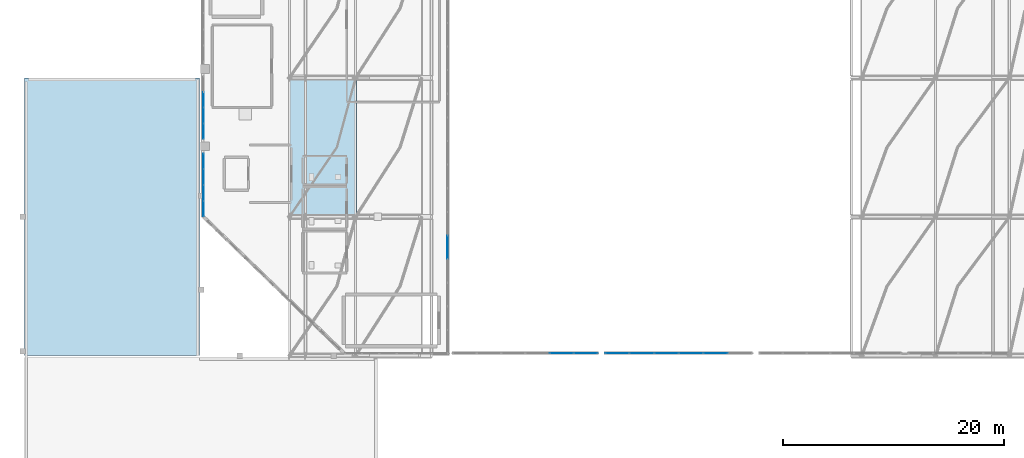
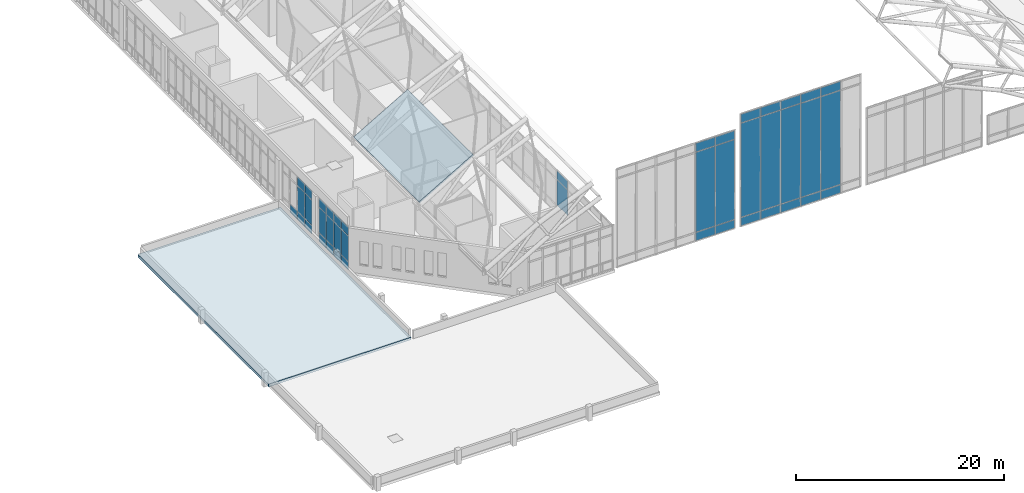
# One storey, part 24 of 42: 42 plates, 2 slabs, 5 elements without a shape of their own.
"""IFC4 building model written with IfcOpenShell, lengths in metres."""

from ifc_helpers import new_model, si_unit, derived_unit, direction, frame, origin, origin_2d, place, context, subcontext, project, spatial, polyline, rectangle, outline, extrude, material, layer, layer_set, type_object, element, aggregate, save


model = new_model("IFC4")

# Units and contexts
model_context = context("Model", 3, precision=1e-05, world=origin(), true_north=direction((0.0, 1.0)))
body_context = subcontext(model_context, "Body", "Model", "MODEL_VIEW")
ifc_project = project(units=[si_unit("LENGTHUNIT", "METRE"), si_unit("AREAUNIT", "SQUARE_METRE"), si_unit("VOLUMEUNIT", "CUBIC_METRE"), si_unit("PLANEANGLEUNIT", "RADIAN"), si_unit("MASSUNIT", "GRAM", prefix="KILO"), derived_unit("THERMALTRANSMITTANCEUNIT", [(si_unit("MASSUNIT", "GRAM", prefix="KILO"), 1), (si_unit("TIMEUNIT", "SECOND"), -3), (si_unit("THERMODYNAMICTEMPERATUREUNIT", "KELVIN"), -1)])], contexts=[model_context])

# Site, building, storey
site_placement = place(None, origin())
site = spatial("IfcSite", under=ifc_project, at=site_placement, CompositionType="ELEMENT")
building_placement = place(site_placement, origin())
building = spatial("IfcBuilding", under=site, at=building_placement, Name="Valcora Ridge Arena", CompositionType="ELEMENT")
storey_placement = place(building_placement, frame((0.0, 0.0, 26.39990234375)))
storey = spatial("IfcBuildingStorey", under=building, at=storey_placement, Name="L05", CompositionType="ELEMENT", Elevation=26.39990234375)

# Curtain wall, plates
ifc_material_1 = material(Name="Anodised dark bronze architectural aluminium 6063-T6", Category="aluminium")
ifc_layer_1 = layer(ifc_material_1, 0.14990234375, Name="Anodised dark bronze architectural aluminium 6063-T6")
ifc_layer_set_1 = layer_set([ifc_layer_1], Name="Anodised dark bronze architectural aluminium 6063-T6")
curtain_wall_type_1 = type_object("IfcCurtainWallType", Name="TY-CURTAINWALL-CW-V1-SKY-057X52", PredefinedType="NOTDEFINED", material=ifc_layer_set_1)
curtain_wall_1_placement = place(storey_placement, origin())
curtain_wall_1 = element("IfcCurtainWall", 1, at=curtain_wall_1_placement, inside=storey, type_object=curtain_wall_type_1, Name="CW-V1-SKY-057X52 CW-0164", PredefinedType="NOTDEFINED")
ifc_material_2 = material(Name="Low-iron solar-control double glazing SHGC 0.28", Category="glass")
ifc_layer_2 = layer(ifc_material_2, 0.028076171875, Name="Low-iron solar-control double glazing SHGC 0.28")
ifc_layer_set_2 = layer_set([ifc_layer_2], Name="Low-iron solar-control double glazing SHGC 0.28")
plate_type_1 = type_object("IfcPlateType", Name="TY-PLT-CWP-1355X0975", PredefinedType="CURTAIN_PANEL", material=ifc_layer_set_2)
plate_1_placement = place(storey_placement, frame((16.199951171875, 40.367431640625, 0.050048828125), z_axis=(0.0, 0.0, 1.0), x_axis=(0.0, 1.0, 0.0)))
plate_1 = element("IfcPlate", 2, at=plate_1_placement, type_object=plate_type_1, Name="CW-0164/P00-00", PredefinedType="CURTAIN_PANEL", context=body_context, shape_type="SweptSolid", body=[
    extrude(rectangle(XDim=1.35498046875, YDim=0.028076171875, at=origin_2d()), origin(), (0.0, 0.0, 1.0), 0.97509765625),
])
ifc_layer_3 = layer(ifc_material_2, 0.028076171875, Name="Low-iron solar-control double glazing SHGC 0.28")
ifc_layer_set_3 = layer_set([ifc_layer_3], Name="Low-iron solar-control double glazing SHGC 0.28")
plate_type_2 = type_object("IfcPlateType", Name="TY-PLT-CWP-1355X1025", PredefinedType="CURTAIN_PANEL", material=ifc_layer_set_3)
plate_2_placement = place(storey_placement, frame((16.199951171875, 40.367431640625, 4.105224609375), z_axis=(0.0, 0.0, 1.0), x_axis=(0.0, 1.0, 0.0)))
plate_2 = element("IfcPlate", 3, at=plate_2_placement, type_object=plate_type_2, Name="CW-0164/P00-02", PredefinedType="CURTAIN_PANEL", context=body_context, shape_type="SweptSolid", body=[
    extrude(rectangle(XDim=1.35498046875, YDim=0.028076171875, at=origin_2d()), origin(), (0.0, 0.0, 1.0), 1.02490234375),
])
ifc_layer_4 = layer(ifc_material_2, 0.028076171875, Name="Low-iron solar-control double glazing SHGC 0.28")
ifc_layer_set_4 = layer_set([ifc_layer_4], Name="Low-iron solar-control double glazing SHGC 0.28")
plate_type_3 = type_object("IfcPlateType", Name="TY-PLT-CWP-1355X2980", PredefinedType="CURTAIN_PANEL", material=ifc_layer_set_4)
plate_3_placement = place(storey_placement, frame((16.199951171875, 40.367431640625, 1.0751953125), z_axis=(0.0, 0.0, 1.0), x_axis=(0.0, 1.0, 0.0)))
plate_3 = element("IfcPlate", 4, at=plate_3_placement, type_object=plate_type_3, Name="CW-0164/P00-01", PredefinedType="CURTAIN_PANEL", context=body_context, shape_type="SweptSolid", body=[
    extrude(rectangle(XDim=1.35498046875, YDim=0.028076171875, at=origin_2d()), origin(), (0.0, 0.0, 1.0), 2.97998046875),
])

ifc_layer_5 = layer(ifc_material_1, 0.14990234375, Name="Anodised dark bronze architectural aluminium 6063-T6")
ifc_layer_set_5 = layer_set([ifc_layer_5], Name="Anodised dark bronze architectural aluminium 6063-T6")
curtain_wall_type_2 = type_object("IfcCurtainWallType", Name="TY-CURTAINWALL-CW-V1-SKY-058X52", PredefinedType="NOTDEFINED", material=ifc_layer_set_5)
curtain_wall_2_placement = place(storey_placement, origin())
curtain_wall_2 = element("IfcCurtainWall", 5, at=curtain_wall_2_placement, inside=storey, type_object=curtain_wall_type_2, Name="CW-V1-SKY-058X52 CW-0163", PredefinedType="NOTDEFINED")
ifc_layer_6 = layer(ifc_material_2, 0.028076171875, Name="Low-iron solar-control double glazing SHGC 0.28")
ifc_layer_set_6 = layer_set([ifc_layer_6], Name="Low-iron solar-control double glazing SHGC 0.28")
plate_type_4 = type_object("IfcPlateType", Name="TY-PLT-CWP-1365X0975", PredefinedType="CURTAIN_PANEL", material=ifc_layer_set_6)
plate_4_placement = place(storey_placement, frame((16.199951171875, 33.33251953125, 0.050048828125), z_axis=(0.0, 0.0, 1.0), x_axis=(0.0, 1.0, 0.0)))
plate_4 = element("IfcPlate", 6, at=plate_4_placement, type_object=plate_type_4, Name="CW-0163/P00-00", PredefinedType="CURTAIN_PANEL", context=body_context, shape_type="SweptSolid", body=[
    extrude(rectangle(XDim=1.364990234375, YDim=0.028076171875, at=origin_2d()), origin(), (0.0, 0.0, 1.0), 0.97509765625),
])
plate_5_placement = place(storey_placement, frame((16.199951171875, 37.62744140625, 0.050048828125), z_axis=(0.0, 0.0, 1.0), x_axis=(0.0, 1.0, 0.0)))
plate_5 = element("IfcPlate", 7, at=plate_5_placement, type_object=plate_type_4, Name="CW-0163/P03-00", PredefinedType="CURTAIN_PANEL", context=body_context, shape_type="SweptSolid", body=[
    extrude(rectangle(XDim=1.364990234375, YDim=0.028076171875, at=origin_2d()), origin(), (0.0, 0.0, 1.0), 0.97509765625),
])
ifc_layer_7 = layer(ifc_material_2, 0.028076171875, Name="Low-iron solar-control double glazing SHGC 0.28")
ifc_layer_set_7 = layer_set([ifc_layer_7], Name="Low-iron solar-control double glazing SHGC 0.28")
plate_type_5 = type_object("IfcPlateType", Name="TY-PLT-CWP-1365X1025", PredefinedType="CURTAIN_PANEL", material=ifc_layer_set_7)
plate_6_placement = place(storey_placement, frame((16.199951171875, 33.33251953125, 4.105224609375), z_axis=(0.0, 0.0, 1.0), x_axis=(0.0, 1.0, 0.0)))
plate_6 = element("IfcPlate", 8, at=plate_6_placement, type_object=plate_type_5, Name="CW-0163/P00-02", PredefinedType="CURTAIN_PANEL", context=body_context, shape_type="SweptSolid", body=[
    extrude(rectangle(XDim=1.364990234375, YDim=0.028076171875, at=origin_2d()), origin(), (0.0, 0.0, 1.0), 1.02490234375),
])
plate_7_placement = place(storey_placement, frame((16.199951171875, 37.62744140625, 4.105224609375), z_axis=(0.0, 0.0, 1.0), x_axis=(0.0, 1.0, 0.0)))
plate_7 = element("IfcPlate", 9, at=plate_7_placement, type_object=plate_type_5, Name="CW-0163/P03-02", PredefinedType="CURTAIN_PANEL", context=body_context, shape_type="SweptSolid", body=[
    extrude(rectangle(XDim=1.364990234375, YDim=0.028076171875, at=origin_2d()), origin(), (0.0, 0.0, 1.0), 1.02490234375),
])
ifc_layer_8 = layer(ifc_material_2, 0.028076171875, Name="Low-iron solar-control double glazing SHGC 0.28")
ifc_layer_set_8 = layer_set([ifc_layer_8], Name="Low-iron solar-control double glazing SHGC 0.28")
plate_type_6 = type_object("IfcPlateType", Name="TY-PLT-CWP-1365X2980", PredefinedType="CURTAIN_PANEL", material=ifc_layer_set_8)
plate_8_placement = place(storey_placement, frame((16.199951171875, 33.33251953125, 1.0751953125), z_axis=(0.0, 0.0, 1.0), x_axis=(0.0, 1.0, 0.0)))
plate_8 = element("IfcPlate", 10, at=plate_8_placement, type_object=plate_type_6, Name="CW-0163/P00-01", PredefinedType="CURTAIN_PANEL", context=body_context, shape_type="SweptSolid", body=[
    extrude(rectangle(XDim=1.364990234375, YDim=0.028076171875, at=origin_2d()), origin(), (0.0, 0.0, 1.0), 2.97998046875),
])
plate_9_placement = place(storey_placement, frame((16.199951171875, 37.62744140625, 1.0751953125), z_axis=(0.0, 0.0, 1.0), x_axis=(0.0, 1.0, 0.0)))
plate_9 = element("IfcPlate", 11, at=plate_9_placement, type_object=plate_type_6, Name="CW-0163/P03-01", PredefinedType="CURTAIN_PANEL", context=body_context, shape_type="SweptSolid", body=[
    extrude(rectangle(XDim=1.364990234375, YDim=0.028076171875, at=origin_2d()), origin(), (0.0, 0.0, 1.0), 2.97998046875),
])

# Plate
ifc_layer_9 = layer(ifc_material_2, 0.028076171875, Name="Low-iron solar-control double glazing SHGC 0.28")
ifc_layer_set_9 = layer_set([ifc_layer_9], Name="Low-iron solar-control double glazing SHGC 0.28")
plate_type_7 = type_object("IfcPlateType", Name="TY-PLT-CWP-1380X0975", PredefinedType="CURTAIN_PANEL", material=ifc_layer_set_9)
plate_10_placement = place(storey_placement, frame((16.199951171875, 41.784912109375, 0.050048828125), z_axis=(0.0, 0.0, 1.0), x_axis=(0.0, 1.0, 0.0)))
plate_10 = element("IfcPlate", 12, at=plate_10_placement, type_object=plate_type_7, Name="CW-0164/P01-00", PredefinedType="CURTAIN_PANEL", context=body_context, shape_type="SweptSolid", body=[
    extrude(rectangle(XDim=1.3798828125, YDim=0.028076171875, at=origin_2d()), origin(), (0.0, 0.0, 1.0), 0.97509765625),
])

plate_11_placement = place(storey_placement, frame((16.199951171875, 43.215087890625, 0.050048828125), z_axis=(0.0, 0.0, 1.0), x_axis=(0.0, 1.0, 0.0)))
plate_11 = element("IfcPlate", 13, at=plate_11_placement, type_object=plate_type_7, Name="CW-0164/P02-00", PredefinedType="CURTAIN_PANEL", context=body_context, shape_type="SweptSolid", body=[
    extrude(rectangle(XDim=1.3798828125, YDim=0.028076171875, at=origin_2d()), origin(), (0.0, 0.0, 1.0), 0.97509765625),
])

ifc_layer_10 = layer(ifc_material_2, 0.028076171875, Name="Low-iron solar-control double glazing SHGC 0.28")
ifc_layer_set_10 = layer_set([ifc_layer_10], Name="Low-iron solar-control double glazing SHGC 0.28")
plate_type_8 = type_object("IfcPlateType", Name="TY-PLT-CWP-1380X1025", PredefinedType="CURTAIN_PANEL", material=ifc_layer_set_10)
plate_12_placement = place(storey_placement, frame((16.199951171875, 41.784912109375, 4.105224609375), z_axis=(0.0, 0.0, 1.0), x_axis=(0.0, 1.0, 0.0)))
plate_12 = element("IfcPlate", 14, at=plate_12_placement, type_object=plate_type_8, Name="CW-0164/P01-02", PredefinedType="CURTAIN_PANEL", context=body_context, shape_type="SweptSolid", body=[
    extrude(rectangle(XDim=1.3798828125, YDim=0.028076171875, at=origin_2d()), origin(), (0.0, 0.0, 1.0), 1.02490234375),
])

ifc_layer_11 = layer(ifc_material_2, 0.028076171875, Name="Low-iron solar-control double glazing SHGC 0.28")
ifc_layer_set_11 = layer_set([ifc_layer_11], Name="Low-iron solar-control double glazing SHGC 0.28")
plate_type_9 = type_object("IfcPlateType", Name="TY-PLT-CWP-1380X2980", PredefinedType="CURTAIN_PANEL", material=ifc_layer_set_11)
plate_13_placement = place(storey_placement, frame((16.199951171875, 41.784912109375, 1.0751953125), z_axis=(0.0, 0.0, 1.0), x_axis=(0.0, 1.0, 0.0)))
plate_13 = element("IfcPlate", 15, at=plate_13_placement, type_object=plate_type_9, Name="CW-0164/P01-01", PredefinedType="CURTAIN_PANEL", context=body_context, shape_type="SweptSolid", body=[
    extrude(rectangle(XDim=1.3798828125, YDim=0.028076171875, at=origin_2d()), origin(), (0.0, 0.0, 1.0), 2.97998046875),
])

aggregate(curtain_wall_1, [plate_1, plate_3, plate_2, plate_10, plate_13, plate_12, plate_11])

ifc_layer_12 = layer(ifc_material_2, 0.028076171875, Name="Low-iron solar-control double glazing SHGC 0.28")
ifc_layer_set_12 = layer_set([ifc_layer_12], Name="Low-iron solar-control double glazing SHGC 0.28")
plate_type_10 = type_object("IfcPlateType", Name="TY-PLT-CWP-1390X0975", PredefinedType="CURTAIN_PANEL", material=ifc_layer_set_12)
plate_14_placement = place(storey_placement, frame((16.199951171875, 34.760009765625, 0.050048828125), z_axis=(0.0, 0.0, 1.0), x_axis=(0.0, 1.0, 0.0)))
plate_14 = element("IfcPlate", 16, at=plate_14_placement, type_object=plate_type_10, Name="CW-0163/P01-00", PredefinedType="CURTAIN_PANEL", context=body_context, shape_type="SweptSolid", body=[
    extrude(rectangle(XDim=1.389892578125, YDim=0.028076171875, at=origin_2d()), origin(), (0.0, 0.0, 1.0), 0.97509765625),
])

plate_15_placement = place(storey_placement, frame((16.199951171875, 36.199951171875, 0.050048828125), z_axis=(0.0, 0.0, 1.0), x_axis=(0.0, 1.0, 0.0)))
plate_15 = element("IfcPlate", 17, at=plate_15_placement, type_object=plate_type_10, Name="CW-0163/P02-00", PredefinedType="CURTAIN_PANEL", context=body_context, shape_type="SweptSolid", body=[
    extrude(rectangle(XDim=1.389892578125, YDim=0.028076171875, at=origin_2d()), origin(), (0.0, 0.0, 1.0), 0.97509765625),
])

ifc_layer_13 = layer(ifc_material_2, 0.028076171875, Name="Low-iron solar-control double glazing SHGC 0.28")
ifc_layer_set_13 = layer_set([ifc_layer_13], Name="Low-iron solar-control double glazing SHGC 0.28")
plate_type_11 = type_object("IfcPlateType", Name="TY-PLT-CWP-1390X1025", PredefinedType="CURTAIN_PANEL", material=ifc_layer_set_13)
plate_16_placement = place(storey_placement, frame((16.199951171875, 34.760009765625, 4.105224609375), z_axis=(0.0, 0.0, 1.0), x_axis=(0.0, 1.0, 0.0)))
plate_16 = element("IfcPlate", 18, at=plate_16_placement, type_object=plate_type_11, Name="CW-0163/P01-02", PredefinedType="CURTAIN_PANEL", context=body_context, shape_type="SweptSolid", body=[
    extrude(rectangle(XDim=1.389892578125, YDim=0.028076171875, at=origin_2d()), origin(), (0.0, 0.0, 1.0), 1.02490234375),
])

plate_17_placement = place(storey_placement, frame((16.199951171875, 36.199951171875, 4.105224609375), z_axis=(0.0, 0.0, 1.0), x_axis=(0.0, 1.0, 0.0)))
plate_17 = element("IfcPlate", 19, at=plate_17_placement, type_object=plate_type_11, Name="CW-0163/P02-02", PredefinedType="CURTAIN_PANEL", context=body_context, shape_type="SweptSolid", body=[
    extrude(rectangle(XDim=1.389892578125, YDim=0.028076171875, at=origin_2d()), origin(), (0.0, 0.0, 1.0), 1.02490234375),
])

ifc_layer_14 = layer(ifc_material_2, 0.028076171875, Name="Low-iron solar-control double glazing SHGC 0.28")
ifc_layer_set_14 = layer_set([ifc_layer_14], Name="Low-iron solar-control double glazing SHGC 0.28")
plate_type_12 = type_object("IfcPlateType", Name="TY-PLT-CWP-1390X2980", PredefinedType="CURTAIN_PANEL", material=ifc_layer_set_14)
plate_18_placement = place(storey_placement, frame((16.199951171875, 34.760009765625, 1.0751953125), z_axis=(0.0, 0.0, 1.0), x_axis=(0.0, 1.0, 0.0)))
plate_18 = element("IfcPlate", 20, at=plate_18_placement, type_object=plate_type_12, Name="CW-0163/P01-01", PredefinedType="CURTAIN_PANEL", context=body_context, shape_type="SweptSolid", body=[
    extrude(rectangle(XDim=1.389892578125, YDim=0.028076171875, at=origin_2d()), origin(), (0.0, 0.0, 1.0), 2.97998046875),
])

plate_19_placement = place(storey_placement, frame((16.199951171875, 36.199951171875, 1.0751953125), z_axis=(0.0, 0.0, 1.0), x_axis=(0.0, 1.0, 0.0)))
plate_19 = element("IfcPlate", 21, at=plate_19_placement, type_object=plate_type_12, Name="CW-0163/P02-01", PredefinedType="CURTAIN_PANEL", context=body_context, shape_type="SweptSolid", body=[
    extrude(rectangle(XDim=1.389892578125, YDim=0.028076171875, at=origin_2d()), origin(), (0.0, 0.0, 1.0), 2.97998046875),
])

aggregate(curtain_wall_2, [plate_4, plate_8, plate_6, plate_14, plate_18, plate_16, plate_15, plate_19, plate_17, plate_5, plate_9, plate_7])

# Curtain wall, plates
ifc_layer_15 = layer(ifc_material_1, 0.14990234375, Name="Anodised dark bronze architectural aluminium 6063-T6")
ifc_layer_set_15 = layer_set([ifc_layer_15], Name="Anodised dark bronze architectural aluminium 6063-T6")
curtain_wall_type_3 = type_object("IfcCurtainWallType", Name="TY-CURTAINWALL-CW-V1-SKY-878X52", PredefinedType="NOTDEFINED", material=ifc_layer_set_15)
curtain_wall_3_placement = place(storey_placement, origin())
curtain_wall_3 = element("IfcCurtainWall", 22, at=curtain_wall_3_placement, inside=storey, type_object=curtain_wall_type_3, Name="CW-V1-SKY-878X52 CW-0171", PredefinedType="NOTDEFINED")
ifc_layer_16 = layer(ifc_material_2, 0.028076171875, Name="Low-iron solar-control double glazing SHGC 0.28")
ifc_layer_set_16 = layer_set([ifc_layer_16], Name="Low-iron solar-control double glazing SHGC 0.28")
plate_type_13 = type_object("IfcPlateType", Name="TY-PLT-CWP-2091X1025", PredefinedType="CURTAIN_PANEL", material=ifc_layer_set_16)
plate_20_placement = place(storey_placement, frame((38.35009765625, 29.83642578125, 4.105224609375), z_axis=(0.0, 0.0, 1.0), x_axis=(0.0, 1.0, 0.0)))
plate_20 = element("IfcPlate", 23, at=plate_20_placement, type_object=plate_type_13, Name="CW-0171/P04-02", PredefinedType="CURTAIN_PANEL", context=body_context, shape_type="SweptSolid", body=[
    extrude(rectangle(XDim=2.091064453125, YDim=0.028076171875, at=origin_2d()), origin(), (0.0, 0.0, 1.0), 1.02490234375),
])
ifc_layer_17 = layer(ifc_material_2, 0.028076171875, Name="Low-iron solar-control double glazing SHGC 0.28")
ifc_layer_set_17 = layer_set([ifc_layer_17], Name="Low-iron solar-control double glazing SHGC 0.28")
plate_type_14 = type_object("IfcPlateType", Name="TY-PLT-CWP-2091X2980", PredefinedType="CURTAIN_PANEL", material=ifc_layer_set_17)
plate_21_placement = place(storey_placement, frame((38.35009765625, 29.83642578125, 1.0751953125), z_axis=(0.0, 0.0, 1.0), x_axis=(0.0, 1.0, 0.0)))
plate_21 = element("IfcPlate", 24, at=plate_21_placement, type_object=plate_type_14, Name="CW-0171/P04-01", PredefinedType="CURTAIN_PANEL", context=body_context, shape_type="SweptSolid", body=[
    extrude(rectangle(XDim=2.091064453125, YDim=0.028076171875, at=origin_2d()), origin(), (0.0, 0.0, 1.0), 2.97998046875),
])
aggregate(curtain_wall_3, [plate_21, plate_20])

ifc_layer_18 = layer(ifc_material_1, 0.179931640625, Name="Anodised dark bronze architectural aluminium 6063-T6")
ifc_layer_set_18 = layer_set([ifc_layer_18], Name="Anodised dark bronze architectural aluminium 6063-T6")
curtain_wall_type_4 = type_object("IfcCurtainWallType", Name="TY-CURTAINWALL-CW-V1-TYMPS-132X116", PredefinedType="NOTDEFINED", material=ifc_layer_set_18)
curtain_wall_4_placement = place(storey_placement, origin())
curtain_wall_4 = element("IfcCurtainWall", 25, at=curtain_wall_4_placement, inside=storey, type_object=curtain_wall_type_4, Name="CW-V1-TYMPS-132X116 CW-0172", PredefinedType="NOTDEFINED")
ifc_layer_19 = layer(ifc_material_2, 0.031982421875, Name="Low-iron solar-control double glazing SHGC 0.28")
ifc_layer_set_19 = layer_set([ifc_layer_19], Name="Low-iron solar-control double glazing SHGC 0.28")
plate_type_15 = type_object("IfcPlateType", Name="TY-PLT-CWP-2110X0960", PredefinedType="CURTAIN_PANEL", material=ifc_layer_set_19)
plate_22_placement = place(storey_placement, frame((50.885009765625, 20.219970703125, 0.06005859375), z_axis=(0.0, 0.0, 1.0), x_axis=(1.0, 0.0, 0.0)))
plate_22 = element("IfcPlate", 26, at=plate_22_placement, type_object=plate_type_15, Name="CW-0172/P05-00", PredefinedType="CURTAIN_PANEL", context=body_context, shape_type="SweptSolid", body=[
    extrude(rectangle(XDim=2.110107421875, YDim=0.031982421875, at=origin_2d()), origin(), (0.0, 0.0, 1.0), 0.9599609375),
])
ifc_layer_20 = layer(ifc_material_2, 0.031982421875, Name="Low-iron solar-control double glazing SHGC 0.28")
ifc_layer_set_20 = layer_set([ifc_layer_20], Name="Low-iron solar-control double glazing SHGC 0.28")
plate_type_16 = type_object("IfcPlateType", Name="TY-PLT-CWP-2110X1010", PredefinedType="CURTAIN_PANEL", material=ifc_layer_set_20)
plate_23_placement = place(storey_placement, frame((50.885009765625, 20.219970703125, 10.50732421875), z_axis=(0.0, 0.0, 1.0), x_axis=(1.0, 0.0, 0.0)))
plate_23 = element("IfcPlate", 27, at=plate_23_placement, type_object=plate_type_16, Name="CW-0172/P05-02", PredefinedType="CURTAIN_PANEL", context=body_context, shape_type="SweptSolid", body=[
    extrude(rectangle(XDim=2.110107421875, YDim=0.031982421875, at=origin_2d()), origin(), (0.0, 0.0, 1.0), 1.010009765625),
])
ifc_layer_21 = layer(ifc_material_2, 0.031982421875, Name="Low-iron solar-control double glazing SHGC 0.28")
ifc_layer_set_21 = layer_set([ifc_layer_21], Name="Low-iron solar-control double glazing SHGC 0.28")
plate_type_17 = type_object("IfcPlateType", Name="TY-PLT-CWP-2110X9367", PredefinedType="CURTAIN_PANEL", material=ifc_layer_set_21)
plate_24_placement = place(storey_placement, frame((50.885009765625, 20.219970703125, 1.080078125), z_axis=(0.0, 0.0, 1.0), x_axis=(1.0, 0.0, 0.0)))
plate_24 = element("IfcPlate", 28, at=plate_24_placement, type_object=plate_type_17, Name="CW-0172/P05-01", PredefinedType="CURTAIN_PANEL", context=body_context, shape_type="SweptSolid", body=[
    extrude(rectangle(XDim=2.110107421875, YDim=0.031982421875, at=origin_2d()), origin(), (0.0, 0.0, 1.0), 9.366943359375),
])
ifc_layer_22 = layer(ifc_material_2, 0.031982421875, Name="Low-iron solar-control double glazing SHGC 0.28")
ifc_layer_set_22 = layer_set([ifc_layer_22], Name="Low-iron solar-control double glazing SHGC 0.28")
plate_type_18 = type_object("IfcPlateType", Name="TY-PLT-CWP-2140X0960", PredefinedType="CURTAIN_PANEL", material=ifc_layer_set_22)
plate_25_placement = place(storey_placement, frame((48.699951171875, 20.219970703125, 0.06005859375), z_axis=(0.0, 0.0, 1.0), x_axis=(1.0, 0.0, 0.0)))
plate_25 = element("IfcPlate", 29, at=plate_25_placement, type_object=plate_type_18, Name="CW-0172/P04-00", PredefinedType="CURTAIN_PANEL", context=body_context, shape_type="SweptSolid", body=[
    extrude(rectangle(XDim=2.139892578125, YDim=0.031982421875, at=origin_2d()), origin(), (0.0, 0.0, 1.0), 0.9599609375),
])
ifc_layer_23 = layer(ifc_material_2, 0.031982421875, Name="Low-iron solar-control double glazing SHGC 0.28")
ifc_layer_set_23 = layer_set([ifc_layer_23], Name="Low-iron solar-control double glazing SHGC 0.28")
plate_type_19 = type_object("IfcPlateType", Name="TY-PLT-CWP-2140X1010", PredefinedType="CURTAIN_PANEL", material=ifc_layer_set_23)
plate_26_placement = place(storey_placement, frame((48.699951171875, 20.219970703125, 10.50732421875), z_axis=(0.0, 0.0, 1.0), x_axis=(1.0, 0.0, 0.0)))
plate_26 = element("IfcPlate", 30, at=plate_26_placement, type_object=plate_type_19, Name="CW-0172/P04-02", PredefinedType="CURTAIN_PANEL", context=body_context, shape_type="SweptSolid", body=[
    extrude(rectangle(XDim=2.139892578125, YDim=0.031982421875, at=origin_2d()), origin(), (0.0, 0.0, 1.0), 1.010009765625),
])
ifc_layer_24 = layer(ifc_material_2, 0.031982421875, Name="Low-iron solar-control double glazing SHGC 0.28")
ifc_layer_set_24 = layer_set([ifc_layer_24], Name="Low-iron solar-control double glazing SHGC 0.28")
plate_type_20 = type_object("IfcPlateType", Name="TY-PLT-CWP-2140X9367", PredefinedType="CURTAIN_PANEL", material=ifc_layer_set_24)
plate_27_placement = place(storey_placement, frame((48.699951171875, 20.219970703125, 1.080078125), z_axis=(0.0, 0.0, 1.0), x_axis=(1.0, 0.0, 0.0)))
plate_27 = element("IfcPlate", 31, at=plate_27_placement, type_object=plate_type_20, Name="CW-0172/P04-01", PredefinedType="CURTAIN_PANEL", context=body_context, shape_type="SweptSolid", body=[
    extrude(rectangle(XDim=2.139892578125, YDim=0.031982421875, at=origin_2d()), origin(), (0.0, 0.0, 1.0), 9.366943359375),
])
aggregate(curtain_wall_4, [plate_25, plate_27, plate_26, plate_22, plate_24, plate_23])

ifc_layer_25 = layer(ifc_material_1, 0.179931640625, Name="Anodised dark bronze architectural aluminium 6063-T6")
ifc_layer_set_25 = layer_set([ifc_layer_25], Name="Anodised dark bronze architectural aluminium 6063-T6")
curtain_wall_type_5 = type_object("IfcCurtainWallType", Name="TY-CURTAINWALL-CW-V1-TYMPS-134X132", PredefinedType="NOTDEFINED", material=ifc_layer_set_25)
curtain_wall_5_placement = place(storey_placement, origin())
curtain_wall_5 = element("IfcCurtainWall", 32, at=curtain_wall_5_placement, inside=storey, type_object=curtain_wall_type_5, Name="CW-V1-TYMPS-134X132 CW-0174", PredefinedType="NOTDEFINED")
ifc_layer_26 = layer(ifc_material_2, 0.031982421875, Name="Low-iron solar-control double glazing SHGC 0.28")
ifc_layer_set_26 = layer_set([ifc_layer_26], Name="Low-iron solar-control double glazing SHGC 0.28")
plate_type_21 = type_object("IfcPlateType", Name="TY-PLT-CWP-2143X0960", PredefinedType="CURTAIN_PANEL", material=ifc_layer_set_26)
plate_28_placement = place(storey_placement, frame((53.7314453125, 20.219970703125, 0.06005859375), z_axis=(0.0, 0.0, 1.0), x_axis=(1.0, 0.0, 0.0)))
plate_28 = element("IfcPlate", 33, at=plate_28_placement, type_object=plate_type_21, Name="CW-0174/P00-00", PredefinedType="CURTAIN_PANEL", context=body_context, shape_type="SweptSolid", body=[
    extrude(rectangle(XDim=2.14306640625, YDim=0.031982421875, at=origin_2d()), origin(), (0.0, 0.0, 1.0), 0.9599609375),
])
ifc_layer_27 = layer(ifc_material_2, 0.031982421875, Name="Low-iron solar-control double glazing SHGC 0.28")
ifc_layer_set_27 = layer_set([ifc_layer_27], Name="Low-iron solar-control double glazing SHGC 0.28")
plate_type_22 = type_object("IfcPlateType", Name="TY-PLT-CWP-2143X1010", PredefinedType="CURTAIN_PANEL", material=ifc_layer_set_27)
plate_29_placement = place(storey_placement, frame((53.7314453125, 20.219970703125, 12.169921875), z_axis=(0.0, 0.0, 1.0), x_axis=(1.0, 0.0, 0.0)))
plate_29 = element("IfcPlate", 34, at=plate_29_placement, type_object=plate_type_22, Name="CW-0174/P00-02", PredefinedType="CURTAIN_PANEL", context=body_context, shape_type="SweptSolid", body=[
    extrude(rectangle(XDim=2.14306640625, YDim=0.031982421875, at=origin_2d()), origin(), (0.0, 0.0, 1.0), 1.010009765625),
])
ifc_layer_28 = layer(ifc_material_2, 0.031982421875, Name="Low-iron solar-control double glazing SHGC 0.28")
ifc_layer_set_28 = layer_set([ifc_layer_28], Name="Low-iron solar-control double glazing SHGC 0.28")
plate_type_23 = type_object("IfcPlateType", Name="TY-PLT-CWP-2143X11030", PredefinedType="CURTAIN_PANEL", material=ifc_layer_set_28)
plate_30_placement = place(storey_placement, frame((53.7314453125, 20.219970703125, 1.080078125), z_axis=(0.0, 0.0, 1.0), x_axis=(1.0, 0.0, 0.0)))
plate_30 = element("IfcPlate", 35, at=plate_30_placement, type_object=plate_type_23, Name="CW-0174/P00-01", PredefinedType="CURTAIN_PANEL", context=body_context, shape_type="SweptSolid", body=[
    extrude(rectangle(XDim=2.14306640625, YDim=0.031982421875, at=origin_2d()), origin(), (0.0, 0.0, 1.0), 11.030029296875),
])
ifc_layer_29 = layer(ifc_material_2, 0.031982421875, Name="Low-iron solar-control double glazing SHGC 0.28")
ifc_layer_set_29 = layer_set([ifc_layer_29], Name="Low-iron solar-control double glazing SHGC 0.28")
plate_type_24 = type_object("IfcPlateType", Name="TY-PLT-CWP-2173X0960", PredefinedType="CURTAIN_PANEL", material=ifc_layer_set_29)
plate_31_placement = place(storey_placement, frame((58.18359375, 20.219970703125, 0.06005859375), z_axis=(0.0, 0.0, 1.0), x_axis=(1.0, 0.0, 0.0)))
plate_31 = element("IfcPlate", 36, at=plate_31_placement, type_object=plate_type_24, Name="CW-0174/P02-00", PredefinedType="CURTAIN_PANEL", context=body_context, shape_type="SweptSolid", body=[
    extrude(rectangle(XDim=2.173095703125, YDim=0.031982421875, at=origin_2d()), origin(), (0.0, 0.0, 1.0), 0.9599609375),
])
plate_32_placement = place(storey_placement, frame((60.41650390625, 20.219970703125, 0.06005859375), z_axis=(0.0, 0.0, 1.0), x_axis=(1.0, 0.0, 0.0)))
plate_32 = element("IfcPlate", 37, at=plate_32_placement, type_object=plate_type_24, Name="CW-0174/P03-00", PredefinedType="CURTAIN_PANEL", context=body_context, shape_type="SweptSolid", body=[
    extrude(rectangle(XDim=2.173095703125, YDim=0.031982421875, at=origin_2d()), origin(), (0.0, 0.0, 1.0), 0.9599609375),
])
ifc_layer_30 = layer(ifc_material_2, 0.031982421875, Name="Low-iron solar-control double glazing SHGC 0.28")
ifc_layer_set_30 = layer_set([ifc_layer_30], Name="Low-iron solar-control double glazing SHGC 0.28")
plate_type_25 = type_object("IfcPlateType", Name="TY-PLT-CWP-2173X1010", PredefinedType="CURTAIN_PANEL", material=ifc_layer_set_30)
plate_33_placement = place(storey_placement, frame((58.18359375, 20.219970703125, 12.169921875), z_axis=(0.0, 0.0, 1.0), x_axis=(1.0, 0.0, 0.0)))
plate_33 = element("IfcPlate", 38, at=plate_33_placement, type_object=plate_type_25, Name="CW-0174/P02-02", PredefinedType="CURTAIN_PANEL", context=body_context, shape_type="SweptSolid", body=[
    extrude(rectangle(XDim=2.173095703125, YDim=0.031982421875, at=origin_2d()), origin(), (0.0, 0.0, 1.0), 1.010009765625),
])
plate_34_placement = place(storey_placement, frame((60.41650390625, 20.219970703125, 12.169921875), z_axis=(0.0, 0.0, 1.0), x_axis=(1.0, 0.0, 0.0)))
plate_34 = element("IfcPlate", 39, at=plate_34_placement, type_object=plate_type_25, Name="CW-0174/P03-02", PredefinedType="CURTAIN_PANEL", context=body_context, shape_type="SweptSolid", body=[
    extrude(rectangle(XDim=2.173095703125, YDim=0.031982421875, at=origin_2d()), origin(), (0.0, 0.0, 1.0), 1.010009765625),
])
ifc_layer_31 = layer(ifc_material_2, 0.031982421875, Name="Low-iron solar-control double glazing SHGC 0.28")
ifc_layer_set_31 = layer_set([ifc_layer_31], Name="Low-iron solar-control double glazing SHGC 0.28")
plate_type_26 = type_object("IfcPlateType", Name="TY-PLT-CWP-2173X11030", PredefinedType="CURTAIN_PANEL", material=ifc_layer_set_31)
plate_35_placement = place(storey_placement, frame((58.18359375, 20.219970703125, 1.080078125), z_axis=(0.0, 0.0, 1.0), x_axis=(1.0, 0.0, 0.0)))
plate_35 = element("IfcPlate", 40, at=plate_35_placement, type_object=plate_type_26, Name="CW-0174/P02-01", PredefinedType="CURTAIN_PANEL", context=body_context, shape_type="SweptSolid", body=[
    extrude(rectangle(XDim=2.173095703125, YDim=0.031982421875, at=origin_2d()), origin(), (0.0, 0.0, 1.0), 11.030029296875),
])
plate_36_placement = place(storey_placement, frame((60.41650390625, 20.219970703125, 1.080078125), z_axis=(0.0, 0.0, 1.0), x_axis=(1.0, 0.0, 0.0)))
plate_36 = element("IfcPlate", 41, at=plate_36_placement, type_object=plate_type_26, Name="CW-0174/P03-01", PredefinedType="CURTAIN_PANEL", context=body_context, shape_type="SweptSolid", body=[
    extrude(rectangle(XDim=2.173095703125, YDim=0.031982421875, at=origin_2d()), origin(), (0.0, 0.0, 1.0), 11.030029296875),
])
ifc_layer_32 = layer(ifc_material_2, 0.031982421875, Name="Low-iron solar-control double glazing SHGC 0.28")
ifc_layer_set_32 = layer_set([ifc_layer_32], Name="Low-iron solar-control double glazing SHGC 0.28")
plate_type_27 = type_object("IfcPlateType", Name="TY-PLT-CWP-2174X0960", PredefinedType="CURTAIN_PANEL", material=ifc_layer_set_32)
plate_37_placement = place(storey_placement, frame((55.949951171875, 20.219970703125, 0.06005859375), z_axis=(0.0, 0.0, 1.0), x_axis=(1.0, 0.0, 0.0)))
plate_37 = element("IfcPlate", 42, at=plate_37_placement, type_object=plate_type_27, Name="CW-0174/P01-00", PredefinedType="CURTAIN_PANEL", context=body_context, shape_type="SweptSolid", body=[
    extrude(rectangle(XDim=2.174072265625, YDim=0.031982421875, at=origin_2d()), origin(), (0.0, 0.0, 1.0), 0.9599609375),
])
plate_38_placement = place(storey_placement, frame((62.64990234375, 20.219970703125, 0.06005859375), z_axis=(0.0, 0.0, 1.0), x_axis=(1.0, 0.0, 0.0)))
plate_38 = element("IfcPlate", 43, at=plate_38_placement, type_object=plate_type_27, Name="CW-0174/P04-00", PredefinedType="CURTAIN_PANEL", context=body_context, shape_type="SweptSolid", body=[
    extrude(rectangle(XDim=2.174072265625, YDim=0.031982421875, at=origin_2d()), origin(), (0.0, 0.0, 1.0), 0.9599609375),
])
ifc_layer_33 = layer(ifc_material_2, 0.031982421875, Name="Low-iron solar-control double glazing SHGC 0.28")
ifc_layer_set_33 = layer_set([ifc_layer_33], Name="Low-iron solar-control double glazing SHGC 0.28")
plate_type_28 = type_object("IfcPlateType", Name="TY-PLT-CWP-2174X1010", PredefinedType="CURTAIN_PANEL", material=ifc_layer_set_33)
plate_39_placement = place(storey_placement, frame((55.949951171875, 20.219970703125, 12.169921875), z_axis=(0.0, 0.0, 1.0), x_axis=(1.0, 0.0, 0.0)))
plate_39 = element("IfcPlate", 44, at=plate_39_placement, type_object=plate_type_28, Name="CW-0174/P01-02", PredefinedType="CURTAIN_PANEL", context=body_context, shape_type="SweptSolid", body=[
    extrude(rectangle(XDim=2.174072265625, YDim=0.031982421875, at=origin_2d()), origin(), (0.0, 0.0, 1.0), 1.010009765625),
])
plate_40_placement = place(storey_placement, frame((62.64990234375, 20.219970703125, 12.169921875), z_axis=(0.0, 0.0, 1.0), x_axis=(1.0, 0.0, 0.0)))
plate_40 = element("IfcPlate", 45, at=plate_40_placement, type_object=plate_type_28, Name="CW-0174/P04-02", PredefinedType="CURTAIN_PANEL", context=body_context, shape_type="SweptSolid", body=[
    extrude(rectangle(XDim=2.174072265625, YDim=0.031982421875, at=origin_2d()), origin(), (0.0, 0.0, 1.0), 1.010009765625),
])
ifc_layer_34 = layer(ifc_material_2, 0.031982421875, Name="Low-iron solar-control double glazing SHGC 0.28")
ifc_layer_set_34 = layer_set([ifc_layer_34], Name="Low-iron solar-control double glazing SHGC 0.28")
plate_type_29 = type_object("IfcPlateType", Name="TY-PLT-CWP-2174X11030", PredefinedType="CURTAIN_PANEL", material=ifc_layer_set_34)
plate_41_placement = place(storey_placement, frame((55.949951171875, 20.219970703125, 1.080078125), z_axis=(0.0, 0.0, 1.0), x_axis=(1.0, 0.0, 0.0)))
plate_41 = element("IfcPlate", 46, at=plate_41_placement, type_object=plate_type_29, Name="CW-0174/P01-01", PredefinedType="CURTAIN_PANEL", context=body_context, shape_type="SweptSolid", body=[
    extrude(rectangle(XDim=2.174072265625, YDim=0.031982421875, at=origin_2d()), origin(), (0.0, 0.0, 1.0), 11.030029296875),
])
plate_42_placement = place(storey_placement, frame((62.64990234375, 20.219970703125, 1.080078125), z_axis=(0.0, 0.0, 1.0), x_axis=(1.0, 0.0, 0.0)))
plate_42 = element("IfcPlate", 47, at=plate_42_placement, type_object=plate_type_29, Name="CW-0174/P04-01", PredefinedType="CURTAIN_PANEL", context=body_context, shape_type="SweptSolid", body=[
    extrude(rectangle(XDim=2.174072265625, YDim=0.031982421875, at=origin_2d()), origin(), (0.0, 0.0, 1.0), 11.030029296875),
])
aggregate(curtain_wall_5, [plate_28, plate_30, plate_29, plate_37, plate_41, plate_39, plate_31, plate_35, plate_33, plate_32, plate_36, plate_34, plate_38, plate_42, plate_40])

# Slabs
ifc_material_3 = material(Name="Concrete C40/50", Category="concrete")
ifc_layer_35 = layer(ifc_material_3, 0.219970703125, Name="Concrete C40/50")
ifc_layer_set_35 = layer_set([ifc_layer_35], Name="Concrete C40/50")
slab_type_1 = type_object("IfcSlabType", Name="TY-SLAB-RF-ARC-S01", PredefinedType="ROOF", material=ifc_layer_set_35)
slab_1_placement = place(storey_placement, frame((24.0, 32.60009765625, 5.400146484375), z_axis=(-0.501926643599, 0.0, 0.864910194439), x_axis=(0.864910194439, 0.0, 0.501926643599)))
element("IfcSlab", 48, at=slab_1_placement, inside=storey, type_object=slab_type_1, Name="RF-ARC-S01 SLB-RF-0013", PredefinedType="ROOF", context=body_context, shape_type="SweptSolid", body=[
    extrude(outline(polyline([(0.0, 0.0), (6.93713640858278, 0.0), (6.93713640858278, 12.599853515625), (0.0, 12.599853515625), (0.0, 0.0)])), origin(), (0.0, 0.0, -1.0), 0.219970703125),
])
ifc_layer_36 = layer(ifc_material_3, 0.320068359375, Name="Concrete C40/50")
ifc_layer_set_36 = layer_set([ifc_layer_36], Name="Concrete C40/50")
slab_type_2 = type_object("IfcSlabType", Name="TY-SLAB-RF-V4-320-P2", PredefinedType="ROOF", material=ifc_layer_set_36)
slab_2_placement = place(storey_placement, frame((0.0, 0.0, -0.31982421875)))
element("IfcSlab", 49, at=slab_2_placement, inside=storey, type_object=slab_type_2, Name="RF-V4-320-P2 SLB-0094", PredefinedType="ROOF", context=body_context, shape_type="SweptSolid", body=[
    extrude(outline(polyline([(0.0, 20.0), (15.85009765625, 20.0), (15.85009765625, 45.199951171875), (0.0, 45.199951171875), (0.0, 20.0)])), origin(), (0.0, 0.0, 1.0), 0.31982421875),
])

save(model, "model.ifc")
